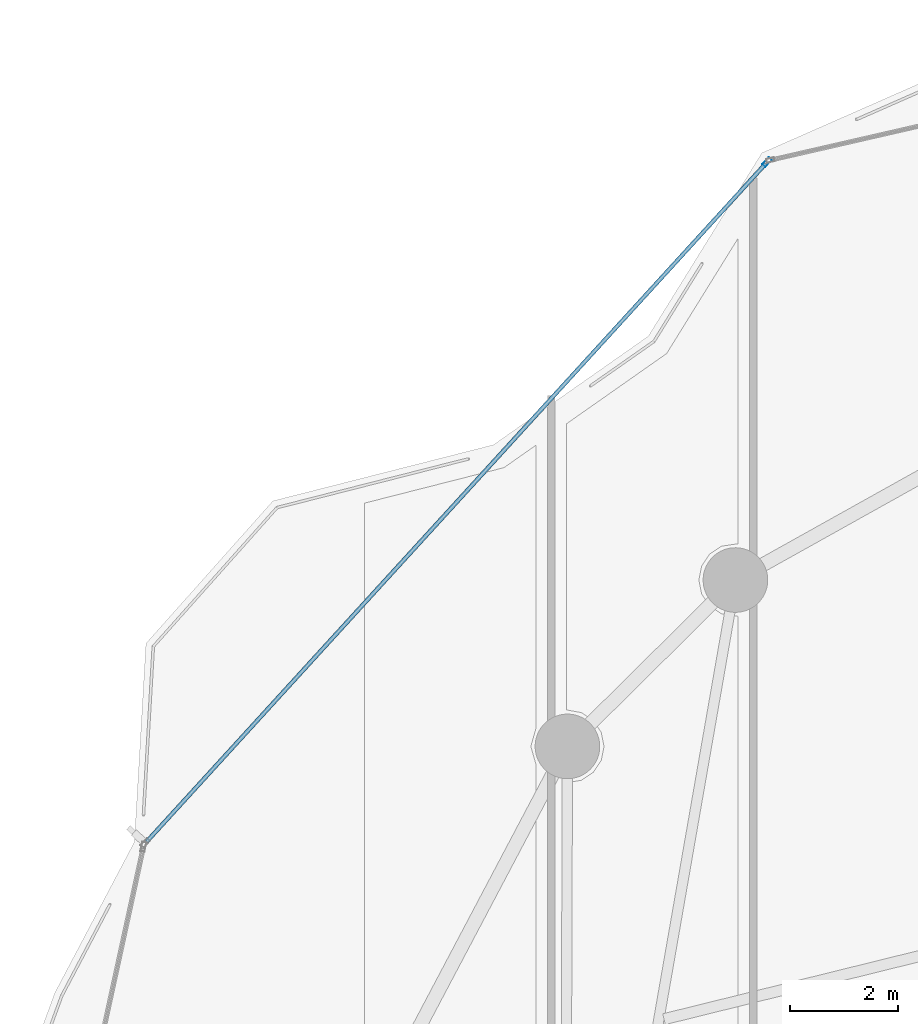
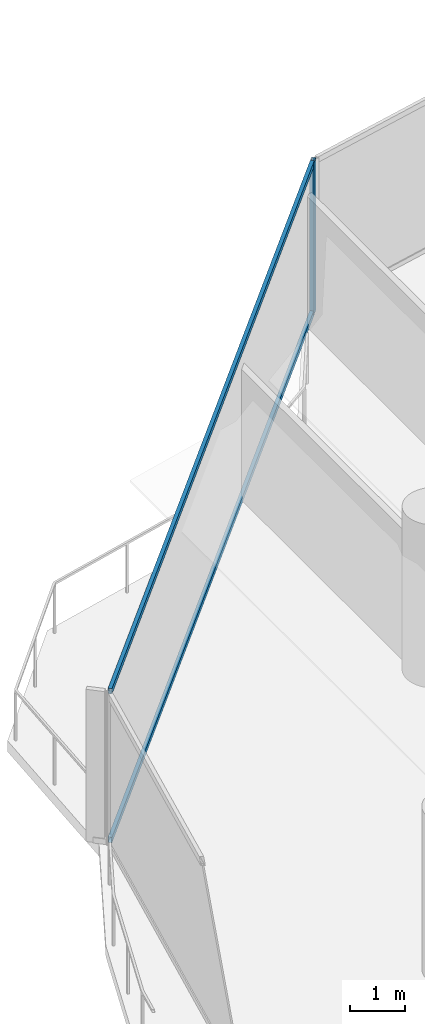
# One storey, part 18 of 34: 3 members, 1 element without a shape of its own.
"""IFC4 building model written with IfcOpenShell, lengths in metres."""

from ifc_helpers import new_model, si_unit, direction, frame, origin, origin_2d, place, context, subcontext, project, spatial, hollow_rectangle, extrude, material, layer, layer_set, material_profile, profile_set, type_object, element, aggregate, save


model = new_model("IFC4")

# Units and contexts
model_context = context("Model", 3, precision=1e-05, world=origin(), true_north=direction((0.0, 1.0)))
body_context = subcontext(model_context, "Body", "Model", "MODEL_VIEW")
ifc_project = project(units=[si_unit("LENGTHUNIT", "METRE"), si_unit("AREAUNIT", "SQUARE_METRE"), si_unit("VOLUMEUNIT", "CUBIC_METRE"), si_unit("PLANEANGLEUNIT", "RADIAN"), si_unit("MASSUNIT", "GRAM", prefix="KILO")], contexts=[model_context])

# Site, building, storey
site_placement = place(None, origin())
site = spatial("IfcSite", under=ifc_project, at=site_placement, CompositionType="ELEMENT")
building_placement = place(site_placement, origin())
building = spatial("IfcBuilding", under=site, at=building_placement, Name="Kazevale Care Tower and Concert Hall", CompositionType="ELEMENT")
storey_placement = place(building_placement, frame((0.0, 0.0, 163.800048828125)))
storey = spatial("IfcBuildingStorey", under=building, at=storey_placement, Name="L43", CompositionType="ELEMENT", Elevation=163.800048828125)

# Curtain wall, members
ifc_material_1 = material(Name="Aluminium 6063-T6 and Low-E Glass", Category="aluminium")
ifc_layer = layer(ifc_material_1, 0.179931640625)
ifc_layer_set = layer_set([ifc_layer], Name="Aluminium 6063-T6 and Low-E Glass")
curtain_wall_type = type_object("IfcCurtainWallType", Name="Convex Checkerboard Finned Curtain Wall CW-2", PredefinedType="NOTDEFINED", material=ifc_layer_set)
curtain_wall_placement = place(storey_placement, origin())
curtain_wall = element("IfcCurtainWall", 1, at=curtain_wall_placement, inside=storey, type_object=curtain_wall_type, Name="cw:L43:f14", PredefinedType="NOTDEFINED")
ifc_material_2 = material(Name="Aluminium 6063-T6", Category="aluminium")
ifc_material_profile_1 = material_profile(ifc_material_2, hollow_rectangle(XDim=0.080078125, YDim=0.179931640625, WallThickness=0.0048828125, at=origin_2d()), Name="ALU80x180x5")
ifc_profile_set_1 = profile_set([ifc_material_profile_1], Name="Aluminium 6063-T6")
member_type_1 = type_object("IfcMemberType", Name="CW-2 Mullion ALU80x180x5", PredefinedType="MULLION", material=ifc_profile_set_1)
member_1_placement = place(storey_placement, frame((25.757080078125, 62.340576171875, 0.0), z_axis=(0.0, 0.0, 1.0), x_axis=(-0.738491785899, 0.674262472751, 0.0)))
member_1 = element("IfcMember", 2, at=member_1_placement, type_object=member_type_1, Name="CW-2 mullion 2", PredefinedType="MULLION", context=body_context, shape_type="SweptSolid", body=[
    extrude(hollow_rectangle(XDim=0.080078125, YDim=0.179931640625, WallThickness=0.0048828125, at=origin_2d()), origin(), (0.0, 0.0, 1.0), 3.35986328125),
])
ifc_material_profile_2 = material_profile(ifc_material_2, hollow_rectangle(XDim=0.074951171875, YDim=0.1201171875, WallThickness=0.00390625, at=origin_2d()), Name="ALU75x120x4")
ifc_profile_set_2 = profile_set([ifc_material_profile_2], Name="Aluminium 6063-T6")
member_type_2 = type_object("IfcMemberType", Name="CW-2 Transom ALU75x120x4", PredefinedType="USERDEFINED", material=ifc_profile_set_2)
member_2_placement = place(storey_placement, frame((14.238037109375, 49.72412109375, 0.037353515625), z_axis=(0.674254759105, 0.738498828587, 0.0), x_axis=(-0.738498828587, 0.674254759105, 0.0)))
member_2 = element("IfcMember", 3, at=member_2_placement, type_object=member_type_2, Name="CW-2 transom 1.1", ObjectType="TRANSOM", PredefinedType="USERDEFINED", context=body_context, shape_type="SweptSolid", body=[
    extrude(hollow_rectangle(XDim=0.074951171875, YDim=0.1201171875, WallThickness=0.00390625, at=origin_2d()), origin(), (0.0, 0.0, 1.0), 17.0439453125),
])
member_3_placement = place(storey_placement, frame((14.238037109375, 49.72412109375, 3.322509765625), z_axis=(0.674254759105, 0.738498828587, 0.0), x_axis=(-0.738498828587, 0.674254759105, 0.0)))
member_3 = element("IfcMember", 4, at=member_3_placement, type_object=member_type_2, Name="CW-2 transom 1.2", ObjectType="TRANSOM", PredefinedType="USERDEFINED", context=body_context, shape_type="SweptSolid", body=[
    extrude(hollow_rectangle(XDim=0.074951171875, YDim=0.1201171875, WallThickness=0.00390625, at=origin_2d()), origin(), (0.0, 0.0, 1.0), 17.0439453125),
])
aggregate(curtain_wall, [member_1, member_2, member_3])

save(model, "model.ifc")
